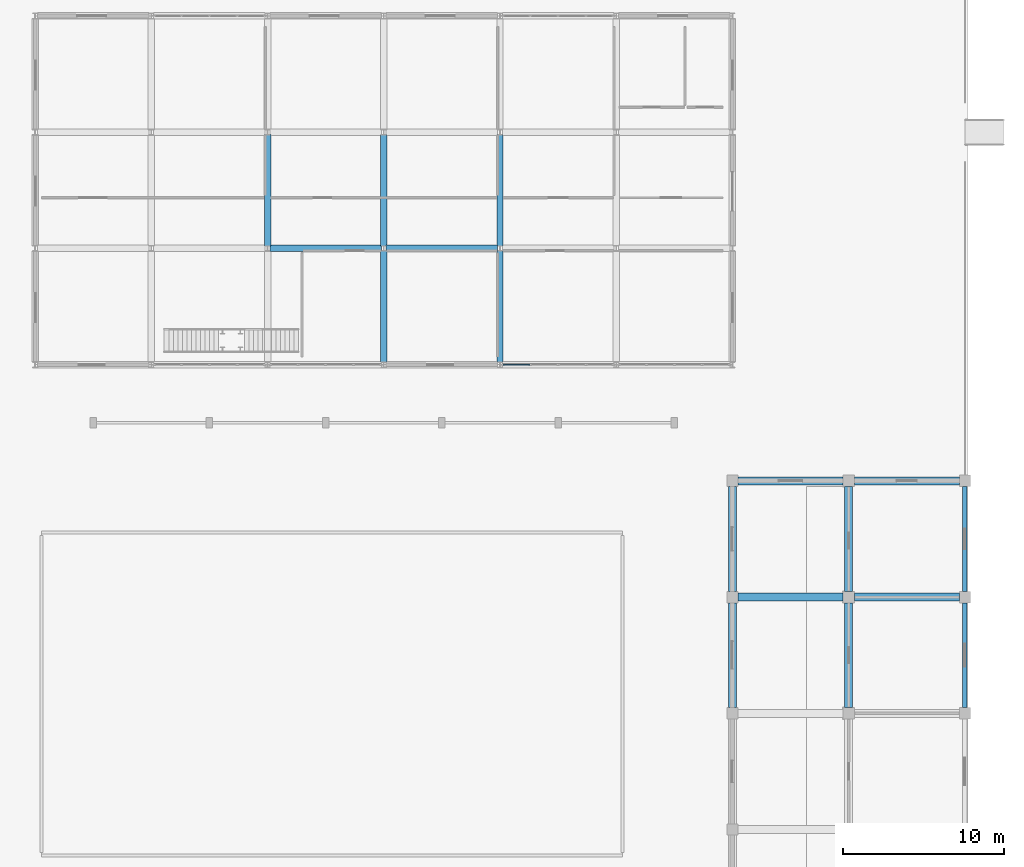
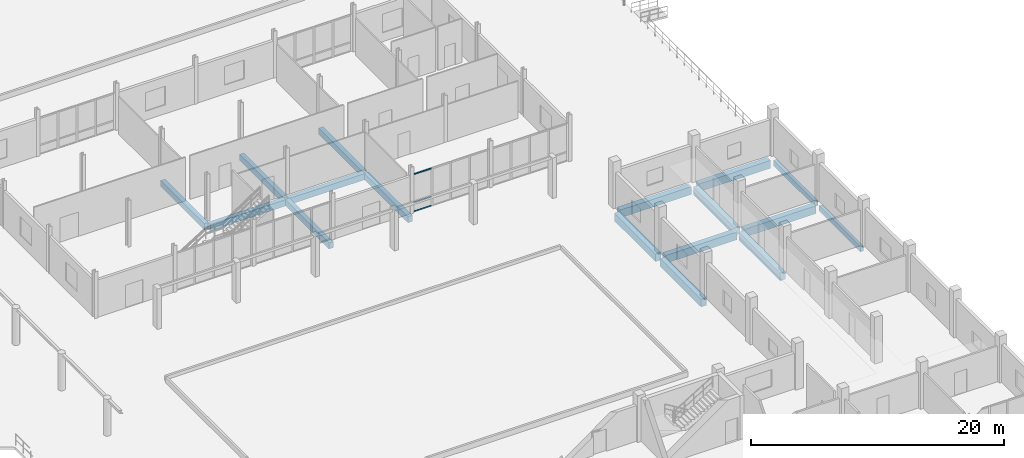
# One storey, part 81 of 139: 17 beams, 3 members, 1 element without a shape of its own.
"""IFC4 building model written with IfcOpenShell, lengths in metres."""

from ifc_helpers import new_model, si_unit, direction, frame, origin, origin_2d, place, context, subcontext, project, spatial, rectangle, hollow_rectangle, extrude, material, material_profile, profile_set, type_object, element, aggregate, save


model = new_model("IFC4")

# Units and contexts
model_context = context("Model", 3, precision=1e-05, world=origin(), true_north=direction((0.0, 1.0)))
body_context = subcontext(model_context, "Body", "Model", "MODEL_VIEW")
ifc_project = project(units=[si_unit("LENGTHUNIT", "METRE"), si_unit("AREAUNIT", "SQUARE_METRE"), si_unit("VOLUMEUNIT", "CUBIC_METRE"), si_unit("PLANEANGLEUNIT", "RADIAN"), si_unit("MASSUNIT", "GRAM", prefix="KILO")], contexts=[model_context])

# Site, building, storey
site_placement = place(None, origin())
site = spatial("IfcSite", under=ifc_project, at=site_placement, CompositionType="ELEMENT")
building_placement = place(site_placement, origin())
building = spatial("IfcBuilding", under=site, at=building_placement, Name="Suanplinth Sawtooth Commons", CompositionType="ELEMENT")
storey_placement = place(building_placement, origin())
storey = spatial("IfcBuildingStorey", under=building, at=storey_placement, Name="L00", CompositionType="ELEMENT", Elevation=0.0)

# Beams
ifc_material_1 = material(Name="Concrete C40/50", Category="concrete")
ifc_material_profile_1 = material_profile(ifc_material_1, rectangle(XDim=0.5, YDim=0.75, at=origin_2d()), Name="RC-GDR 500x750")
ifc_profile_set_1 = profile_set([ifc_material_profile_1], Name="Concrete C40/50")
beam_type_1 = type_object("IfcBeamType", Name="B-03", PredefinedType="USERDEFINED", material=ifc_profile_set_1)
for number, where, z_axis, x_axis, name in (
    (1, (173.14990234375, 36.0, -0.794921875), (1.0, 0.0, 0.0), (0.0, 1.0, 0.0), "BMX-L00-C-24-5"),
    (2, (173.14990234375, 43.199951171875, -0.794921875), (1.0, 0.0, 0.0), (0.0, 1.0, 0.0), "BMX-L00-C-24-6"),
    (3, (180.35009765625, 36.0, -0.794921875), (1.0, 0.0, 0.0), (0.0, 1.0, 0.0), "BMX-L00-C-25-5"),
    (4, (180.35009765625, 43.199951171875, -0.794921875), (1.0, 0.0, 0.0), (0.0, 1.0, 0.0), "BMX-L00-C-25-6"),
    (5, (172.800048828125, 29.14990234375, -0.794921875), (0.0, 1.0, 0.0), (-1.0, 0.0, 0.0), "BMY-L00-C-24-4"),
    (6, (172.800048828125, 36.35009765625, -0.794921875), (0.0, 1.0, 0.0), (-1.0, 0.0, 0.0), "BMY-L00-C-24-5"),
    (7, (180.0, 29.14990234375, -0.794921875), (0.0, 1.0, 0.0), (-1.0, 0.0, 0.0), "BMY-L00-C-25-4"),
    (8, (180.0, 36.35009765625, -0.794921875), (0.0, 1.0, 0.0), (-1.0, 0.0, 0.0), "BMY-L00-C-25-5"),
):
    element("IfcBeam", number, at=place(storey_placement, frame(where, z_axis=z_axis, x_axis=x_axis)), inside=storey, type_object=beam_type_1, Name=name, ObjectType="GIRDER", PredefinedType="USERDEFINED", context=body_context, shape_type="SweptSolid", body=[
        extrude(rectangle(XDim=0.5, YDim=0.75, at=origin_2d()), origin(), (0.0, 0.0, 1.0), 6.5),
    ])
ifc_material_2 = material(Name="Precast concrete C40/50", Category="concrete")
ifc_material_profile_2 = material_profile(ifc_material_2, rectangle(XDim=0.39990234375, YDim=0.60009765625, at=origin_2d()), Name="PC-GDR 400x600")
ifc_profile_set_2 = profile_set([ifc_material_profile_2], Name="Precast concrete C40/50")
beam_type_2 = type_object("IfcBeamType", Name="B-05", PredefinedType="USERDEFINED", material=ifc_profile_set_2)
beam_placement = place(storey_placement, frame((144.14990234375, 57.60009765625, -0.719970703125), z_axis=(1.0, 0.0, 0.0), x_axis=(0.0, 1.0, 0.0)))
element("IfcBeam", 9, at=beam_placement, inside=storey, type_object=beam_type_2, Name="BMX-L00-NURS-20-8", ObjectType="GIRDER", PredefinedType="USERDEFINED", context=body_context, shape_type="SweptSolid", body=[
    extrude(rectangle(XDim=0.39990234375, YDim=0.60009765625, at=origin_2d()), origin(), (0.0, 0.0, 1.0), 6.900146484375),
])
for number, where, z_axis, x_axis, name in (
    (10, (151.35009765625, 57.60009765625, -0.719970703125), (1.0, 0.0, 0.0), (0.0, 1.0, 0.0), "BMX-L00-NURS-21-8"),
    (11, (144.0, 57.75, -0.719970703125), (0.0, 1.0, 0.0), (-1.0, 0.0, 0.0), "BMY-L00-NURS-20-8"),
    (12, (151.199951171875, 50.550048828125, -0.719970703125), (0.0, 1.0, 0.0), (-1.0, 0.0, 0.0), "BMY-L00-NURS-21-7"),
    (13, (151.199951171875, 57.75, -0.719970703125), (0.0, 1.0, 0.0), (-1.0, 0.0, 0.0), "BMY-L00-NURS-21-8"),
    (14, (158.39990234375, 50.550048828125, -0.719970703125), (0.0, 1.0, 0.0), (-1.0, 0.0, 0.0), "BMY-L00-NURS-22-7"),
    (15, (158.39990234375, 57.75, -0.719970703125), (0.0, 1.0, 0.0), (-1.0, 0.0, 0.0), "BMY-L00-NURS-22-8"),
):
    element("IfcBeam", number, at=place(storey_placement, frame(where, z_axis=z_axis, x_axis=x_axis)), inside=storey, type_object=beam_type_2, Name=name, ObjectType="GIRDER", PredefinedType="USERDEFINED", context=body_context, shape_type="SweptSolid", body=[
        extrude(rectangle(XDim=0.39990234375, YDim=0.60009765625, at=origin_2d()), origin(), (0.0, 0.0, 1.0), 6.89990234375),
    ])
ifc_material_profile_3 = material_profile(ifc_material_2, rectangle(XDim=0.280029296875, YDim=0.52001953125, at=origin_2d()), Name="PC-SP 280x520")
ifc_profile_set_3 = profile_set([ifc_material_profile_3], Name="Precast concrete C40/50")
beam_type_3 = type_object("IfcBeamType", Name="B-08", PredefinedType="SPANDREL", material=ifc_profile_set_3)
for number, where, z_axis, x_axis, name in (
    (16, (187.199951171875, 29.14990234375, -0.679931640625), (0.0, 1.0, 0.0), (-1.0, 0.0, 0.0), "BMY-L00-C-26-4"),
    (17, (187.199951171875, 36.35009765625, -0.679931640625), (0.0, 1.0, 0.0), (-1.0, 0.0, 0.0), "BMY-L00-C-26-5"),
):
    element("IfcBeam", number, at=place(storey_placement, frame(where, z_axis=z_axis, x_axis=x_axis)), inside=storey, type_object=beam_type_3, Name=name, PredefinedType="SPANDREL", context=body_context, shape_type="SweptSolid", body=[
        extrude(rectangle(XDim=0.280029296875, YDim=0.52001953125, at=origin_2d()), origin(), (0.0, 0.0, 1.0), 6.5),
    ])

# Curtain wall, members
ifc_material_3 = material(Name="Anodized aluminium and low-E glazing", Category="aluminium")
curtain_wall_type = type_object("IfcCurtainWallType", Name="CW-02", PredefinedType="USERDEFINED", material=ifc_material_3)
curtain_wall_placement = place(storey_placement, origin())
curtain_wall = element("IfcCurtainWall", 18, at=curtain_wall_placement, inside=storey, type_object=curtain_wall_type, Name="Curtain Wall CW-L00-NURS-S-22", ObjectType="CURTAIN WALL", PredefinedType="USERDEFINED")
ifc_material_4 = material(Name="Anodized aluminium 6063-T6", Category="aluminium")
ifc_material_profile_4 = material_profile(ifc_material_4, hollow_rectangle(XDim=0.06494140625, YDim=0.1201171875, WallThickness=0.00390625, at=origin_2d()), Name="ALU-TRN 65x120")
ifc_profile_set_4 = profile_set([ifc_material_profile_4], Name="Anodized aluminium 6063-T6")
member_type = type_object("IfcMemberType", Name="M-15", PredefinedType="USERDEFINED", material=ifc_profile_set_4)
member_1_placement = place(storey_placement, frame((158.614990234375, 50.39990234375, 0.032470703125), z_axis=(1.0, 0.0, 0.0), x_axis=(0.0, 1.0, 0.0)))
member_1 = element("IfcMember", 19, at=member_1_placement, type_object=member_type, Name="CW-02 transom 1.1", ObjectType="TRANSOM", PredefinedType="USERDEFINED", context=body_context, shape_type="SweptSolid", body=[
    extrude(hollow_rectangle(XDim=0.06494140625, YDim=0.1201171875, WallThickness=0.00390625, at=origin_2d()), origin(), (0.0, 0.0, 1.0), 1.62744140625),
])
member_2_placement = place(storey_placement, frame((158.614990234375, 50.39990234375, 0.89990234375), z_axis=(1.0, 0.0, 0.0), x_axis=(0.0, 1.0, 0.0)))
member_2 = element("IfcMember", 20, at=member_2_placement, type_object=member_type, Name="CW-02 transom 1.2", ObjectType="TRANSOM", PredefinedType="USERDEFINED", context=body_context, shape_type="SweptSolid", body=[
    extrude(hollow_rectangle(XDim=0.06494140625, YDim=0.1201171875, WallThickness=0.00390625, at=origin_2d()), origin(), (0.0, 0.0, 1.0), 1.62744140625),
])
member_3_placement = place(storey_placement, frame((158.614990234375, 50.39990234375, 3.617431640625), z_axis=(1.0, 0.0, 0.0), x_axis=(0.0, 1.0, 0.0)))
member_3 = element("IfcMember", 21, at=member_3_placement, type_object=member_type, Name="CW-02 transom 1.3", ObjectType="TRANSOM", PredefinedType="USERDEFINED", context=body_context, shape_type="SweptSolid", body=[
    extrude(hollow_rectangle(XDim=0.06494140625, YDim=0.1201171875, WallThickness=0.00390625, at=origin_2d()), origin(), (0.0, 0.0, 1.0), 1.62744140625),
])
aggregate(curtain_wall, [member_1, member_2, member_3])

save(model, "model.ifc")
